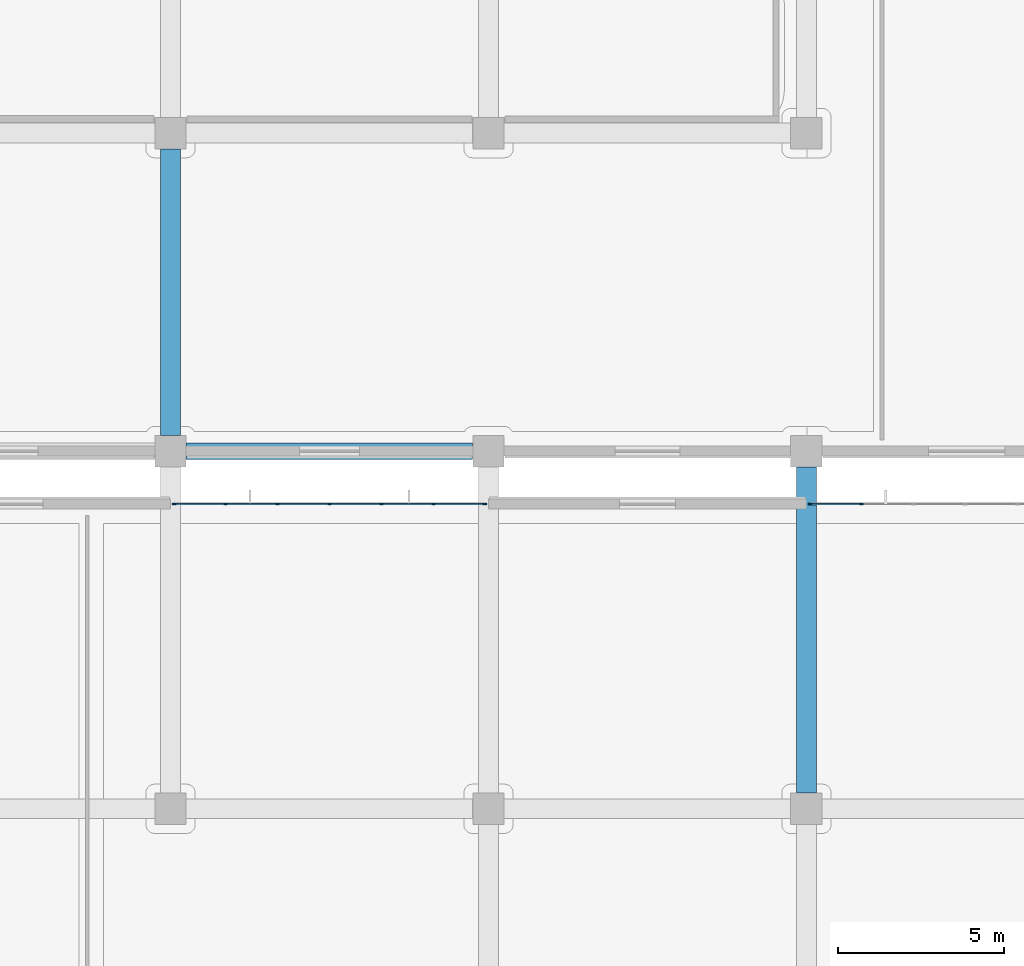
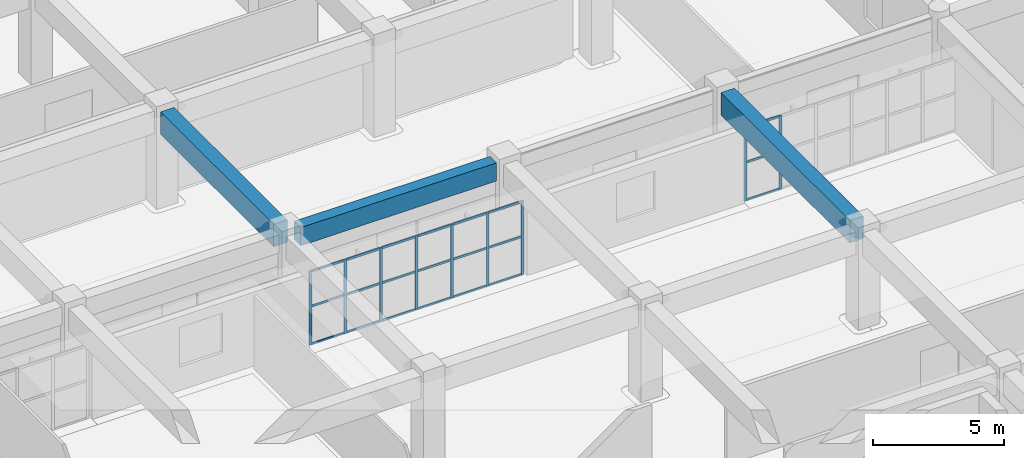
# One storey, part 16 of 86: 30 members, 3 beams, 2 elements without a shape of their own.
"""IFC4 building model written with IfcOpenShell, lengths in metres."""

from ifc_helpers import new_model, si_unit, direction, frame, origin, origin_2d, place, context, subcontext, project, spatial, rectangle, extrude, material, layer, layer_set, material_profile, profile_set, type_object, element, aggregate, save


model = new_model("IFC4")

# Units and contexts
model_context = context("Model", 3, precision=1e-05, world=origin(), true_north=direction((0.0, 1.0)))
body_context = subcontext(model_context, "Body", "Model", "MODEL_VIEW")
ifc_project = project(units=[si_unit("LENGTHUNIT", "METRE"), si_unit("AREAUNIT", "SQUARE_METRE"), si_unit("VOLUMEUNIT", "CUBIC_METRE"), si_unit("PLANEANGLEUNIT", "RADIAN"), si_unit("MASSUNIT", "GRAM", prefix="KILO")], contexts=[model_context])

# Site, building, storey
site_placement = place(None, origin())
site = spatial("IfcSite", under=ifc_project, at=site_placement, CompositionType="ELEMENT")
building_placement = place(site_placement, origin())
building = spatial("IfcBuilding", under=site, at=building_placement, Name="Cendralis Terraced Arcade", CompositionType="ELEMENT")
storey_placement = place(building_placement, frame((0.0, 0.0, 5.39990234375)))
storey = spatial("IfcBuildingStorey", under=building, at=storey_placement, Name="L01", CompositionType="ELEMENT", Elevation=5.39990234375)

# Beams
ifc_material_1 = material(Name="Concrete f'c 35 MPa", Category="concrete")
ifc_material_profile_1 = material_profile(ifc_material_1, rectangle(XDim=0.5, YDim=0.85009765625, at=origin_2d()), Name="RC-BM-500x850", Category="LoadBearing")
ifc_profile_set_1 = profile_set([ifc_material_profile_1], Name="Concrete f'c 35 MPa")
beam_type_1 = type_object("IfcBeamType", Name="BM-500x850", PredefinedType="JOIST", material=ifc_profile_set_1)
beam_1_placement = place(storey_placement, frame((38.875, 60.0, 4.090087890625), z_axis=(1.0, 0.0, 0.0), x_axis=(0.0, 1.0, 0.0)))
element("IfcBeam", 1, at=beam_1_placement, inside=storey, type_object=beam_type_1, Name="Terrace Support Girder TER-L02-V1-3", PredefinedType="JOIST", context=body_context, shape_type="SweptSolid", body=[
    extrude(rectangle(XDim=0.5, YDim=0.85009765625, at=origin_2d()), origin(), (0.0, 0.0, 1.0), 8.64990234375),
])
ifc_material_profile_2 = material_profile(ifc_material_1, rectangle(XDim=0.60009765625, YDim=1.050048828125, at=origin_2d()), Name="RC-BM-600x1050", Category="LoadBearing")
ifc_profile_set_2 = profile_set([ifc_material_profile_2], Name="Concrete f'c 35 MPa")
beam_type_2 = type_object("IfcBeamType", Name="BM-600x1050", PredefinedType="JOIST", material=ifc_profile_set_2)
beam_2_placement = place(storey_placement, frame((38.39990234375, 60.47509765625, 3.97998046875), z_axis=(0.0, 1.0, 0.0), x_axis=(-1.0, 0.0, 0.0)))
element("IfcBeam", 2, at=beam_2_placement, inside=storey, type_object=beam_type_2, Name="Reinforced Concrete Frame Beam BM-Y-L02-5-G_H", PredefinedType="JOIST", context=body_context, shape_type="SweptSolid", body=[
    extrude(rectangle(XDim=0.60009765625, YDim=1.050048828125, at=origin_2d()), origin(), (0.0, 0.0, 1.0), 8.64990234375),
])
beam_3_placement = place(storey_placement, frame((57.60009765625, 49.675048828125, 3.97998046875), z_axis=(0.0, 1.0, 0.0), x_axis=(-1.0, 0.0, 0.0)))
element("IfcBeam", 3, at=beam_3_placement, inside=storey, type_object=beam_type_2, Name="Reinforced Concrete Frame Beam BM-Y-L02-7-F_G", PredefinedType="JOIST", context=body_context, shape_type="SweptSolid", body=[
    extrude(rectangle(XDim=0.60009765625, YDim=1.050048828125, at=origin_2d()), origin(), (0.0, 0.0, 1.0), 9.849853515625),
])

# Curtain wall, members
ifc_material_2 = material(Name="Anodised aluminium EN AW-6063 T6", Category="aluminium")
ifc_layer = layer(ifc_material_2, 0.1201171875, Name="CW-STORE-B")
ifc_layer_set = layer_set([ifc_layer], Name="Anodised aluminium EN AW-6063 T6")
curtain_wall_type = type_object("IfcCurtainWallType", Name="CW-STORE-B", PredefinedType="USERDEFINED", material=ifc_layer_set)
curtain_wall_1_placement = place(storey_placement, origin())
curtain_wall_1 = element("IfcCurtainWall", 4, at=curtain_wall_1_placement, inside=storey, type_object=curtain_wall_type, Name="Exterior Storefront Glazing CW-L01-0111", ObjectType="STOREFRONT GLAZING", PredefinedType="USERDEFINED")
ifc_material_profile_3 = material_profile(ifc_material_2, rectangle(XDim=0.054931640625, YDim=0.1201171875, at=origin_2d()), Name="ALU-MUL-55x120")
ifc_profile_set_3 = profile_set([ifc_material_profile_3], Name="Anodised aluminium EN AW-6063 T6")
member_type_1 = type_object("IfcMemberType", Name="CW-STORE-B-MUL", PredefinedType="MULLION", material=ifc_profile_set_3)
member_1_placement = place(storey_placement, frame((38.517578125, 58.39990234375, 0.0), z_axis=(0.0, 0.0, 1.0), x_axis=(0.0, 1.0, 0.0)))
member_1 = element("IfcMember", 5, at=member_1_placement, type_object=member_type_1, Name="CW-S2 mullion 1", PredefinedType="MULLION", context=body_context, shape_type="SweptSolid", body=[
    extrude(rectangle(XDim=0.054931640625, YDim=0.1201171875, at=origin_2d()), origin(), (0.0, 0.0, 1.0), 3.445068359375),
])
member_2_placement = place(storey_placement, frame((40.06005859375, 58.39990234375, 0.0), z_axis=(0.0, 0.0, 1.0), x_axis=(0.0, 1.0, 0.0)))
member_2 = element("IfcMember", 6, at=member_2_placement, type_object=member_type_1, Name="CW-S2 mullion 2", PredefinedType="MULLION", context=body_context, shape_type="SweptSolid", body=[
    extrude(rectangle(XDim=0.054931640625, YDim=0.1201171875, at=origin_2d()), origin(), (0.0, 0.0, 1.0), 3.445068359375),
])
member_3_placement = place(storey_placement, frame((41.6298828125, 58.39990234375, 0.0), z_axis=(0.0, 0.0, 1.0), x_axis=(0.0, 1.0, 0.0)))
member_3 = element("IfcMember", 7, at=member_3_placement, type_object=member_type_1, Name="CW-S2 mullion 3", PredefinedType="MULLION", context=body_context, shape_type="SweptSolid", body=[
    extrude(rectangle(XDim=0.054931640625, YDim=0.1201171875, at=origin_2d()), origin(), (0.0, 0.0, 1.0), 3.445068359375),
])
member_4_placement = place(storey_placement, frame((43.199951171875, 58.39990234375, 0.0), z_axis=(0.0, 0.0, 1.0), x_axis=(0.0, 1.0, 0.0)))
member_4 = element("IfcMember", 8, at=member_4_placement, type_object=member_type_1, Name="CW-S2 mullion 4", PredefinedType="MULLION", context=body_context, shape_type="SweptSolid", body=[
    extrude(rectangle(XDim=0.054931640625, YDim=0.1201171875, at=origin_2d()), origin(), (0.0, 0.0, 1.0), 3.445068359375),
])
member_5_placement = place(storey_placement, frame((44.77001953125, 58.39990234375, 0.0), z_axis=(0.0, 0.0, 1.0), x_axis=(0.0, 1.0, 0.0)))
member_5 = element("IfcMember", 9, at=member_5_placement, type_object=member_type_1, Name="CW-S2 mullion 5", PredefinedType="MULLION", context=body_context, shape_type="SweptSolid", body=[
    extrude(rectangle(XDim=0.054931640625, YDim=0.1201171875, at=origin_2d()), origin(), (0.0, 0.0, 1.0), 3.445068359375),
])
member_6_placement = place(storey_placement, frame((46.340087890625, 58.39990234375, 0.0), z_axis=(0.0, 0.0, 1.0), x_axis=(0.0, 1.0, 0.0)))
member_6 = element("IfcMember", 10, at=member_6_placement, type_object=member_type_1, Name="CW-S2 mullion 6", PredefinedType="MULLION", context=body_context, shape_type="SweptSolid", body=[
    extrude(rectangle(XDim=0.054931640625, YDim=0.1201171875, at=origin_2d()), origin(), (0.0, 0.0, 1.0), 3.445068359375),
])
member_7_placement = place(storey_placement, frame((47.882568359375, 58.39990234375, 0.0), z_axis=(0.0, 0.0, 1.0), x_axis=(0.0, 1.0, 0.0)))
member_7 = element("IfcMember", 11, at=member_7_placement, type_object=member_type_1, Name="CW-S2 mullion 7", PredefinedType="MULLION", context=body_context, shape_type="SweptSolid", body=[
    extrude(rectangle(XDim=0.054931640625, YDim=0.1201171875, at=origin_2d()), origin(), (0.0, 0.0, 1.0), 3.445068359375),
])

curtain_wall_2_placement = place(storey_placement, origin())
curtain_wall_2 = element("IfcCurtainWall", 12, at=curtain_wall_2_placement, inside=storey, type_object=curtain_wall_type, Name="Exterior Storefront Glazing CW-L01-0112", ObjectType="STOREFRONT GLAZING", PredefinedType="USERDEFINED")
member_8_placement = place(storey_placement, frame((57.717529296875, 58.39990234375, 0.0), z_axis=(0.0, 0.0, 1.0), x_axis=(0.0, 1.0, 0.0)))
member_8 = element("IfcMember", 13, at=member_8_placement, type_object=member_type_1, Name="CW-S2 mullion 1", PredefinedType="MULLION", context=body_context, shape_type="SweptSolid", body=[
    extrude(rectangle(XDim=0.054931640625, YDim=0.1201171875, at=origin_2d()), origin(), (0.0, 0.0, 1.0), 3.445068359375),
])
member_9_placement = place(storey_placement, frame((59.260009765625, 58.39990234375, 0.0), z_axis=(0.0, 0.0, 1.0), x_axis=(0.0, 1.0, 0.0)))
member_9 = element("IfcMember", 14, at=member_9_placement, type_object=member_type_1, Name="CW-S2 mullion 2", PredefinedType="MULLION", context=body_context, shape_type="SweptSolid", body=[
    extrude(rectangle(XDim=0.054931640625, YDim=0.1201171875, at=origin_2d()), origin(), (0.0, 0.0, 1.0), 3.445068359375),
])

# Member
ifc_material_profile_4 = material_profile(ifc_material_2, rectangle(XDim=0.054931640625, YDim=0.10009765625, at=origin_2d()), Name="ALU-TRN-55x100")
ifc_profile_set_4 = profile_set([ifc_material_profile_4], Name="Anodised aluminium EN AW-6063 T6")
member_type_2 = type_object("IfcMemberType", Name="CW-STORE-B-TRN", PredefinedType="USERDEFINED", material=ifc_profile_set_4)
member_10_placement = place(storey_placement, frame((38.544921875, 58.39990234375, 0.027587890625), z_axis=(1.0, 0.0, 0.0), x_axis=(0.0, 1.0, 0.0)))
member_10 = element("IfcMember", 15, at=member_10_placement, type_object=member_type_2, Name="CW-S2 transom 1.1", ObjectType="TRANSOM", PredefinedType="USERDEFINED", context=body_context, shape_type="SweptSolid", body=[
    extrude(rectangle(XDim=0.054931640625, YDim=0.10009765625, at=origin_2d()), origin(), (0.0, 0.0, 1.0), 1.487548828125),
])

member_11_placement = place(storey_placement, frame((38.544921875, 58.39990234375, 1.79150390625), z_axis=(1.0, 0.0, 0.0), x_axis=(0.0, 1.0, 0.0)))
member_11 = element("IfcMember", 16, at=member_11_placement, type_object=member_type_2, Name="CW-S2 transom 1.2", ObjectType="TRANSOM", PredefinedType="USERDEFINED", context=body_context, shape_type="SweptSolid", body=[
    extrude(rectangle(XDim=0.054931640625, YDim=0.10009765625, at=origin_2d()), origin(), (0.0, 0.0, 1.0), 1.487548828125),
])

member_12_placement = place(storey_placement, frame((38.544921875, 58.39990234375, 3.41748046875), z_axis=(1.0, 0.0, 0.0), x_axis=(0.0, 1.0, 0.0)))
member_12 = element("IfcMember", 17, at=member_12_placement, type_object=member_type_2, Name="CW-S2 transom 1.3", ObjectType="TRANSOM", PredefinedType="USERDEFINED", context=body_context, shape_type="SweptSolid", body=[
    extrude(rectangle(XDim=0.054931640625, YDim=0.10009765625, at=origin_2d()), origin(), (0.0, 0.0, 1.0), 1.487548828125),
])

member_13_placement = place(storey_placement, frame((40.08740234375, 58.39990234375, 0.027587890625), z_axis=(1.0, 0.0, 0.0), x_axis=(0.0, 1.0, 0.0)))
member_13 = element("IfcMember", 18, at=member_13_placement, type_object=member_type_2, Name="CW-S2 transom 2.1", ObjectType="TRANSOM", PredefinedType="USERDEFINED", context=body_context, shape_type="SweptSolid", body=[
    extrude(rectangle(XDim=0.054931640625, YDim=0.10009765625, at=origin_2d()), origin(), (0.0, 0.0, 1.0), 1.51513671875),
])

member_14_placement = place(storey_placement, frame((40.08740234375, 58.39990234375, 1.79150390625), z_axis=(1.0, 0.0, 0.0), x_axis=(0.0, 1.0, 0.0)))
member_14 = element("IfcMember", 19, at=member_14_placement, type_object=member_type_2, Name="CW-S2 transom 2.2", ObjectType="TRANSOM", PredefinedType="USERDEFINED", context=body_context, shape_type="SweptSolid", body=[
    extrude(rectangle(XDim=0.054931640625, YDim=0.10009765625, at=origin_2d()), origin(), (0.0, 0.0, 1.0), 1.51513671875),
])

member_15_placement = place(storey_placement, frame((40.08740234375, 58.39990234375, 3.41748046875), z_axis=(1.0, 0.0, 0.0), x_axis=(0.0, 1.0, 0.0)))
member_15 = element("IfcMember", 20, at=member_15_placement, type_object=member_type_2, Name="CW-S2 transom 2.3", ObjectType="TRANSOM", PredefinedType="USERDEFINED", context=body_context, shape_type="SweptSolid", body=[
    extrude(rectangle(XDim=0.054931640625, YDim=0.10009765625, at=origin_2d()), origin(), (0.0, 0.0, 1.0), 1.51513671875),
])

member_16_placement = place(storey_placement, frame((41.657470703125, 58.39990234375, 0.027587890625), z_axis=(1.0, 0.0, 0.0), x_axis=(0.0, 1.0, 0.0)))
member_16 = element("IfcMember", 21, at=member_16_placement, type_object=member_type_2, Name="CW-S2 transom 3.1", ObjectType="TRANSOM", PredefinedType="USERDEFINED", context=body_context, shape_type="SweptSolid", body=[
    extrude(rectangle(XDim=0.054931640625, YDim=0.10009765625, at=origin_2d()), origin(), (0.0, 0.0, 1.0), 1.51513671875),
])

member_17_placement = place(storey_placement, frame((41.657470703125, 58.39990234375, 1.79150390625), z_axis=(1.0, 0.0, 0.0), x_axis=(0.0, 1.0, 0.0)))
member_17 = element("IfcMember", 22, at=member_17_placement, type_object=member_type_2, Name="CW-S2 transom 3.2", ObjectType="TRANSOM", PredefinedType="USERDEFINED", context=body_context, shape_type="SweptSolid", body=[
    extrude(rectangle(XDim=0.054931640625, YDim=0.10009765625, at=origin_2d()), origin(), (0.0, 0.0, 1.0), 1.51513671875),
])

member_18_placement = place(storey_placement, frame((41.657470703125, 58.39990234375, 3.41748046875), z_axis=(1.0, 0.0, 0.0), x_axis=(0.0, 1.0, 0.0)))
member_18 = element("IfcMember", 23, at=member_18_placement, type_object=member_type_2, Name="CW-S2 transom 3.3", ObjectType="TRANSOM", PredefinedType="USERDEFINED", context=body_context, shape_type="SweptSolid", body=[
    extrude(rectangle(XDim=0.054931640625, YDim=0.10009765625, at=origin_2d()), origin(), (0.0, 0.0, 1.0), 1.51513671875),
])

member_19_placement = place(storey_placement, frame((43.2275390625, 58.39990234375, 0.027587890625), z_axis=(1.0, 0.0, 0.0), x_axis=(0.0, 1.0, 0.0)))
member_19 = element("IfcMember", 24, at=member_19_placement, type_object=member_type_2, Name="CW-S2 transom 4.1", ObjectType="TRANSOM", PredefinedType="USERDEFINED", context=body_context, shape_type="SweptSolid", body=[
    extrude(rectangle(XDim=0.054931640625, YDim=0.10009765625, at=origin_2d()), origin(), (0.0, 0.0, 1.0), 1.514892578125),
])

member_20_placement = place(storey_placement, frame((43.2275390625, 58.39990234375, 1.79150390625), z_axis=(1.0, 0.0, 0.0), x_axis=(0.0, 1.0, 0.0)))
member_20 = element("IfcMember", 25, at=member_20_placement, type_object=member_type_2, Name="CW-S2 transom 4.2", ObjectType="TRANSOM", PredefinedType="USERDEFINED", context=body_context, shape_type="SweptSolid", body=[
    extrude(rectangle(XDim=0.054931640625, YDim=0.10009765625, at=origin_2d()), origin(), (0.0, 0.0, 1.0), 1.514892578125),
])

member_21_placement = place(storey_placement, frame((43.2275390625, 58.39990234375, 3.41748046875), z_axis=(1.0, 0.0, 0.0), x_axis=(0.0, 1.0, 0.0)))
member_21 = element("IfcMember", 26, at=member_21_placement, type_object=member_type_2, Name="CW-S2 transom 4.3", ObjectType="TRANSOM", PredefinedType="USERDEFINED", context=body_context, shape_type="SweptSolid", body=[
    extrude(rectangle(XDim=0.054931640625, YDim=0.10009765625, at=origin_2d()), origin(), (0.0, 0.0, 1.0), 1.514892578125),
])

member_22_placement = place(storey_placement, frame((44.797607421875, 58.39990234375, 0.027587890625), z_axis=(1.0, 0.0, 0.0), x_axis=(0.0, 1.0, 0.0)))
member_22 = element("IfcMember", 27, at=member_22_placement, type_object=member_type_2, Name="CW-S2 transom 5.1", ObjectType="TRANSOM", PredefinedType="USERDEFINED", context=body_context, shape_type="SweptSolid", body=[
    extrude(rectangle(XDim=0.054931640625, YDim=0.10009765625, at=origin_2d()), origin(), (0.0, 0.0, 1.0), 1.514892578125),
])

member_23_placement = place(storey_placement, frame((44.797607421875, 58.39990234375, 1.79150390625), z_axis=(1.0, 0.0, 0.0), x_axis=(0.0, 1.0, 0.0)))
member_23 = element("IfcMember", 28, at=member_23_placement, type_object=member_type_2, Name="CW-S2 transom 5.2", ObjectType="TRANSOM", PredefinedType="USERDEFINED", context=body_context, shape_type="SweptSolid", body=[
    extrude(rectangle(XDim=0.054931640625, YDim=0.10009765625, at=origin_2d()), origin(), (0.0, 0.0, 1.0), 1.514892578125),
])

member_24_placement = place(storey_placement, frame((44.797607421875, 58.39990234375, 3.41748046875), z_axis=(1.0, 0.0, 0.0), x_axis=(0.0, 1.0, 0.0)))
member_24 = element("IfcMember", 29, at=member_24_placement, type_object=member_type_2, Name="CW-S2 transom 5.3", ObjectType="TRANSOM", PredefinedType="USERDEFINED", context=body_context, shape_type="SweptSolid", body=[
    extrude(rectangle(XDim=0.054931640625, YDim=0.10009765625, at=origin_2d()), origin(), (0.0, 0.0, 1.0), 1.514892578125),
])

member_25_placement = place(storey_placement, frame((46.367431640625, 58.39990234375, 0.027587890625), z_axis=(1.0, 0.0, 0.0), x_axis=(0.0, 1.0, 0.0)))
member_25 = element("IfcMember", 30, at=member_25_placement, type_object=member_type_2, Name="CW-S2 transom 6.1", ObjectType="TRANSOM", PredefinedType="USERDEFINED", context=body_context, shape_type="SweptSolid", body=[
    extrude(rectangle(XDim=0.054931640625, YDim=0.10009765625, at=origin_2d()), origin(), (0.0, 0.0, 1.0), 1.487548828125),
])

member_26_placement = place(storey_placement, frame((46.367431640625, 58.39990234375, 1.79150390625), z_axis=(1.0, 0.0, 0.0), x_axis=(0.0, 1.0, 0.0)))
member_26 = element("IfcMember", 31, at=member_26_placement, type_object=member_type_2, Name="CW-S2 transom 6.2", ObjectType="TRANSOM", PredefinedType="USERDEFINED", context=body_context, shape_type="SweptSolid", body=[
    extrude(rectangle(XDim=0.054931640625, YDim=0.10009765625, at=origin_2d()), origin(), (0.0, 0.0, 1.0), 1.487548828125),
])

member_27_placement = place(storey_placement, frame((46.367431640625, 58.39990234375, 3.41748046875), z_axis=(1.0, 0.0, 0.0), x_axis=(0.0, 1.0, 0.0)))
member_27 = element("IfcMember", 32, at=member_27_placement, type_object=member_type_2, Name="CW-S2 transom 6.3", ObjectType="TRANSOM", PredefinedType="USERDEFINED", context=body_context, shape_type="SweptSolid", body=[
    extrude(rectangle(XDim=0.054931640625, YDim=0.10009765625, at=origin_2d()), origin(), (0.0, 0.0, 1.0), 1.487548828125),
])

aggregate(curtain_wall_1, [member_1, member_2, member_3, member_4, member_5, member_6, member_7, member_10, member_11, member_12, member_13, member_14, member_15, member_16, member_17, member_18, member_19, member_20, member_21, member_22, member_23, member_24, member_25, member_26, member_27])

member_28_placement = place(storey_placement, frame((57.7451171875, 58.39990234375, 0.027587890625), z_axis=(1.0, 0.0, 0.0), x_axis=(0.0, 1.0, 0.0)))
member_28 = element("IfcMember", 33, at=member_28_placement, type_object=member_type_2, Name="CW-S2 transom 1.1", ObjectType="TRANSOM", PredefinedType="USERDEFINED", context=body_context, shape_type="SweptSolid", body=[
    extrude(rectangle(XDim=0.054931640625, YDim=0.10009765625, at=origin_2d()), origin(), (0.0, 0.0, 1.0), 1.4873046875),
])

member_29_placement = place(storey_placement, frame((57.7451171875, 58.39990234375, 1.79150390625), z_axis=(1.0, 0.0, 0.0), x_axis=(0.0, 1.0, 0.0)))
member_29 = element("IfcMember", 34, at=member_29_placement, type_object=member_type_2, Name="CW-S2 transom 1.2", ObjectType="TRANSOM", PredefinedType="USERDEFINED", context=body_context, shape_type="SweptSolid", body=[
    extrude(rectangle(XDim=0.054931640625, YDim=0.10009765625, at=origin_2d()), origin(), (0.0, 0.0, 1.0), 1.4873046875),
])

member_30_placement = place(storey_placement, frame((57.7451171875, 58.39990234375, 3.41748046875), z_axis=(1.0, 0.0, 0.0), x_axis=(0.0, 1.0, 0.0)))
member_30 = element("IfcMember", 35, at=member_30_placement, type_object=member_type_2, Name="CW-S2 transom 1.3", ObjectType="TRANSOM", PredefinedType="USERDEFINED", context=body_context, shape_type="SweptSolid", body=[
    extrude(rectangle(XDim=0.054931640625, YDim=0.10009765625, at=origin_2d()), origin(), (0.0, 0.0, 1.0), 1.4873046875),
])

aggregate(curtain_wall_2, [member_8, member_9, member_28, member_29, member_30])

save(model, "model.ifc")
